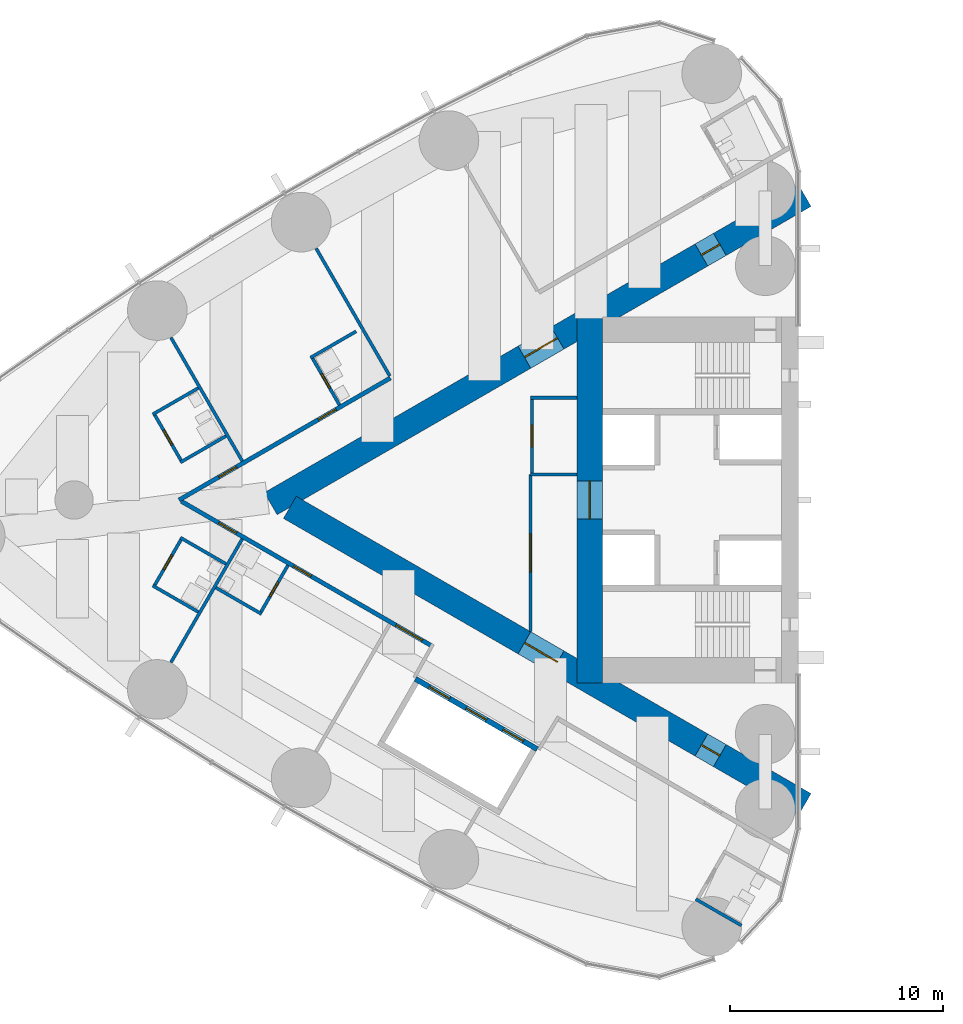
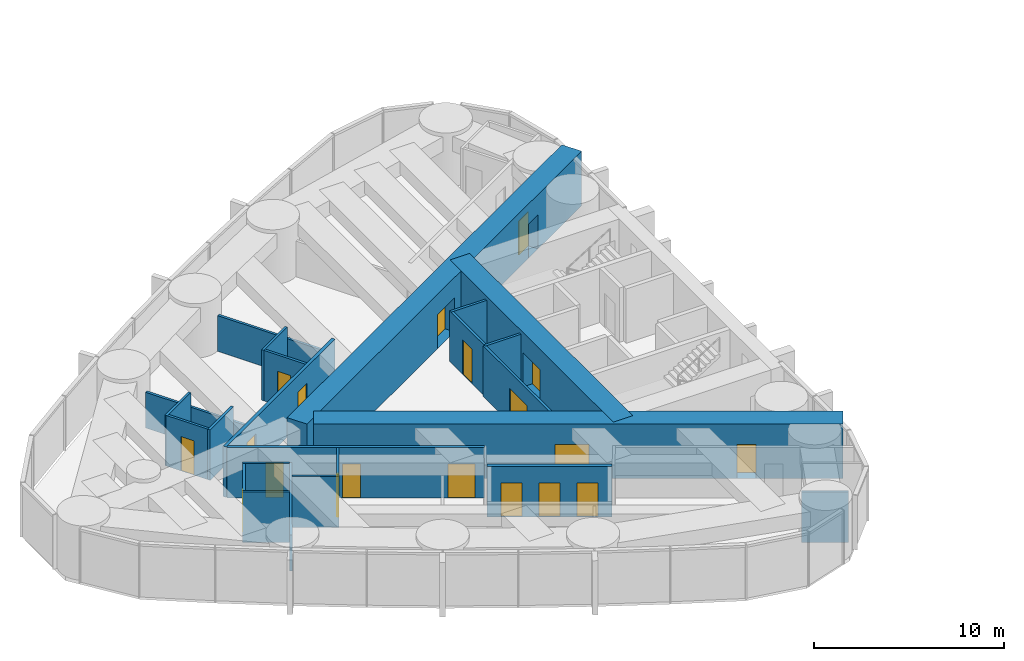
# One storey, part 12 of 18: 24 walls, 19 doors, 19 openings.
"""IFC4 building model written with IfcOpenShell, lengths in metres."""

from ifc_helpers import new_model, si_unit, direction, frame, frame_2d, origin, place, context, subcontext, project, spatial, rectangle, extrude, material, layer, layer_set, type_object, element, fill, save


model = new_model("IFC4")

# Units and contexts
model_context = context("Model", 3, precision=1e-05, world=origin(), true_north=direction((0.0, 1.0)))
body_context = subcontext(model_context, "Body", "Model", "MODEL_VIEW")
ifc_project = project(units=[si_unit("LENGTHUNIT", "METRE"), si_unit("AREAUNIT", "SQUARE_METRE"), si_unit("VOLUMEUNIT", "CUBIC_METRE"), si_unit("PLANEANGLEUNIT", "RADIAN"), si_unit("MASSUNIT", "GRAM", prefix="KILO")], contexts=[model_context])

# Site, building, storey
site_placement = place(None, origin())
site = spatial("IfcSite", under=ifc_project, at=site_placement, CompositionType="ELEMENT")
building_placement = place(site_placement, origin())
building = spatial("IfcBuilding", under=site, at=building_placement, Name="Lancet Gate Hotel", CompositionType="ELEMENT")
storey_placement = place(building_placement, frame((0.0, 0.0, 180.800048828125)))
storey = spatial("IfcBuildingStorey", under=building, at=storey_placement, Name="L48", CompositionType="ELEMENT", Elevation=180.800048828125)

# Wall
ifc_material_1 = material(Name="Moisture resistant board partition")
ifc_layer_1 = layer(ifc_material_1, 0.14990234375)
ifc_layer_set_1 = layer_set([ifc_layer_1], Name="Bathroom wall 150")
wall_type_1 = type_object("IfcWallType", Name="Bathroom wall 150", PredefinedType="PARTITIONING", material=ifc_layer_set_1)
wall_1_placement = place(storey_placement, frame((-48.26025390625, 7.914306640625, 0.0), z_axis=(0.0, 0.0, 1.0), x_axis=(-0.866031185235, -0.4999899861, 0.0)))
element("IfcWall", 1, at=wall_1_placement, inside=storey, type_object=wall_type_1, Name="T1 bathroom wall 150 L48", PredefinedType="PARTITIONING", context=body_context, shape_type="SweptSolid", body=[
    extrude(rectangle(XDim=2.47509765625, YDim=0.14990234375, at=frame_2d((1.237548828125, 0.0))), origin(), (0.0, 0.0, 1.0), 3.25),
])

# Wall, opening, door
wall_2_placement = place(storey_placement, frame((-49.038818359375, 4.462646484375, 0.0), z_axis=(0.0, 0.0, 1.0), x_axis=(-0.499936506574, 0.866062058628, 0.0)))
wall_2 = element("IfcWall", 2, at=wall_2_placement, inside=storey, type_object=wall_type_1, Name="T1 bathroom wall 150 L48", PredefinedType="PARTITIONING", context=body_context, shape_type="SweptSolid", body=[
    extrude(rectangle(XDim=2.599853515625, YDim=0.14990234375, at=frame_2d((1.2998046875, 0.0))), origin(), (0.0, 0.0, 1.0), 3.25),
])
opening_1_placement = place(wall_2_placement, frame((0.89990234375, 0.0, 0.0)))
opening_1 = element("IfcOpeningElement", 3, at=opening_1_placement, cuts=wall_2, Name="Opening 4803-B", PredefinedType="OPENING", context=body_context, shape_type="SweptSolid", body=[
    extrude(rectangle(XDim=0.800048828125, YDim=2.199951171875, at=frame_2d((0.39990234375, 1.10009765625))), frame((0.0, 0.0849609375, 0.0), z_axis=(0.0, -1.0, 0.0), x_axis=(1.0, 0.0, 0.0)), (0.0, 0.0, 1.0), 0.169921875),
])
ifc_material_2 = material(Name="Timber door set", Category="wood")
door_type_1 = type_object("IfcDoorType", Name="Bathroom door 800", OperationType="SINGLE_SWING_RIGHT", PredefinedType="DOOR", material=ifc_material_2)
door_1_placement = place(opening_1_placement, origin())
door_1 = element("IfcDoor", 4, at=door_1_placement, inside=storey, type_object=door_type_1, Name="4803-B", OperationType="SINGLE_SWING_RIGHT", OverallHeight=2.199951171875, OverallWidth=0.800048828125, PredefinedType="DOOR", context=body_context, shape_type="SweptSolid", body=[
    extrude(rectangle(XDim=0.800048828125, YDim=2.199951171875, at=frame_2d((0.39990234375, 1.10009765625))), frame((0.0, 0.02490234375, 0.0), z_axis=(0.0, -1.0, 0.0), x_axis=(1.0, 0.0, 0.0)), (0.0, 0.0, 1.0), 0.050048828125),
])
fill(opening_1, door_1)

# Wall
wall_3_placement = place(storey_placement, frame((-55.6669921875, 5.254638671875, 0.0), z_axis=(0.0, 0.0, 1.0), x_axis=(-0.866006523861, -0.500032699561, 0.0)))
element("IfcWall", 5, at=wall_3_placement, inside=storey, type_object=wall_type_1, Name="T1 bathroom wall 150 L48", PredefinedType="PARTITIONING", context=body_context, shape_type="SweptSolid", body=[
    extrude(rectangle(XDim=2.474853515625, YDim=0.14990234375, at=frame_2d((1.2373046875, 0.0))), origin(), (0.0, 0.0, 1.0), 3.25),
])

# Wall, opening, door
wall_4_placement = place(storey_placement, frame((-56.445556640625, 1.802978515625, 0.0), z_axis=(0.0, 0.0, 1.0), x_axis=(-0.499936506574, 0.866062058628, 0.0)))
wall_4 = element("IfcWall", 6, at=wall_4_placement, inside=storey, type_object=wall_type_1, Name="T1 bathroom wall 150 L48", PredefinedType="PARTITIONING", context=body_context, shape_type="SweptSolid", body=[
    extrude(rectangle(XDim=2.599853515625, YDim=0.14990234375, at=frame_2d((1.2998046875, 0.0))), origin(), (0.0, 0.0, 1.0), 3.25),
])
opening_2_placement = place(wall_4_placement, frame((0.89990234375, 0.0, 0.0)))
opening_2 = element("IfcOpeningElement", 7, at=opening_2_placement, cuts=wall_4, Name="Opening 4804-B", PredefinedType="OPENING", context=body_context, shape_type="SweptSolid", body=[
    extrude(rectangle(XDim=0.800048828125, YDim=2.199951171875, at=frame_2d((0.39990234375, 1.10009765625))), frame((0.0, 0.0849609375, 0.0), z_axis=(0.0, -1.0, 0.0), x_axis=(1.0, 0.0, 0.0)), (0.0, 0.0, 1.0), 0.169921875),
])
door_2_placement = place(opening_2_placement, origin())
door_2 = element("IfcDoor", 8, at=door_2_placement, inside=storey, type_object=door_type_1, Name="4804-B", OperationType="SINGLE_SWING_RIGHT", OverallHeight=2.199951171875, OverallWidth=0.800048828125, PredefinedType="DOOR", context=body_context, shape_type="SweptSolid", body=[
    extrude(rectangle(XDim=0.800048828125, YDim=2.199951171875, at=frame_2d((0.39990234375, 1.10009765625))), frame((0.0, 0.02490234375, 0.0), z_axis=(0.0, -1.0, 0.0), x_axis=(1.0, 0.0, 0.0)), (0.0, 0.0, 1.0), 0.050048828125),
])
fill(opening_2, door_2)

# Walls
wall_5_placement = place(storey_placement, frame((-54.366943359375, 3.0029296875, 0.0), z_axis=(0.0, 0.0, 1.0), x_axis=(-0.866031185235, -0.4999899861, 0.0)))
element("IfcWall", 9, at=wall_5_placement, inside=storey, type_object=wall_type_1, Name="T1 bathroom wall 150 L48", PredefinedType="PARTITIONING", context=body_context, shape_type="SweptSolid", body=[
    extrude(rectangle(XDim=2.47509765625, YDim=0.14990234375, at=frame_2d((1.237548828125, 0.0))), origin(), (0.0, 0.0, 1.0), 3.25),
])
wall_6_placement = place(storey_placement, frame((-55.6669921875, -5.254638671875, 0.0), z_axis=(0.0, 0.0, 1.0), x_axis=(-0.866006523861, 0.500032699561, 0.0)))
element("IfcWall", 10, at=wall_6_placement, inside=storey, type_object=wall_type_1, Name="T1 bathroom wall 150 L48", PredefinedType="PARTITIONING", context=body_context, shape_type="SweptSolid", body=[
    extrude(rectangle(XDim=2.474853515625, YDim=0.14990234375, at=frame_2d((1.2373046875, 0.0))), origin(), (0.0, 0.0, 1.0), 3.25),
])

# Wall, opening, door
wall_7_placement = place(storey_placement, frame((-56.445556640625, -1.802978515625, 0.0), z_axis=(0.0, 0.0, 1.0), x_axis=(-0.499936506574, -0.866062058628, 0.0)))
wall_7 = element("IfcWall", 11, at=wall_7_placement, inside=storey, type_object=wall_type_1, Name="T1 bathroom wall 150 L48", PredefinedType="PARTITIONING", context=body_context, shape_type="SweptSolid", body=[
    extrude(rectangle(XDim=2.599853515625, YDim=0.14990234375, at=frame_2d((1.2998046875, 0.0))), origin(), (0.0, 0.0, 1.0), 3.25),
])
opening_3_placement = place(wall_7_placement, frame((0.89990234375, 0.0, 0.0)))
opening_3 = element("IfcOpeningElement", 12, at=opening_3_placement, cuts=wall_7, Name="Opening 4805-B", PredefinedType="OPENING", context=body_context, shape_type="SweptSolid", body=[
    extrude(rectangle(XDim=0.800048828125, YDim=2.199951171875, at=frame_2d((0.39990234375, 1.10009765625))), frame((0.0, 0.0849609375, 0.0), z_axis=(0.0, -1.0, 0.0), x_axis=(1.0, 0.0, 0.0)), (0.0, 0.0, 1.0), 0.169921875),
])
door_3_placement = place(opening_3_placement, origin())
door_3 = element("IfcDoor", 13, at=door_3_placement, inside=storey, type_object=door_type_1, Name="4805-B", OperationType="SINGLE_SWING_RIGHT", OverallHeight=2.199951171875, OverallWidth=0.800048828125, PredefinedType="DOOR", context=body_context, shape_type="SweptSolid", body=[
    extrude(rectangle(XDim=0.800048828125, YDim=2.199951171875, at=frame_2d((0.39990234375, 1.10009765625))), frame((0.0, 0.02490234375, 0.0), z_axis=(0.0, -1.0, 0.0), x_axis=(1.0, 0.0, 0.0)), (0.0, 0.0, 1.0), 0.050048828125),
])
fill(opening_3, door_3)

# Walls
for number, where, z_axis, x_axis, name in (
    (14, (-54.366943359375, -3.0029296875, 0.0), (0.0, 0.0, 1.0), (-0.866031185235, 0.4999899861, 0.0), "T1 bathroom wall 150 L48"),
    (15, (-52.693603515625, -5.354736328125, 0.0), (0.0, 0.0, 1.0), (-0.866031185235, 0.4999899861, 0.0), "T1 bathroom wall 150 L48"),
):
    element("IfcWall", number, at=place(storey_placement, frame(where, z_axis=z_axis, x_axis=x_axis)), inside=storey, type_object=wall_type_1, Name=name, PredefinedType="PARTITIONING", context=body_context, shape_type="SweptSolid", body=[
        extrude(rectangle(XDim=2.47509765625, YDim=0.14990234375, at=frame_2d((1.237548828125, 0.0))), origin(), (0.0, 0.0, 1.0), 3.25),
    ])

# Wall, opening, door
wall_8_placement = place(storey_placement, frame((-51.458740234375, -3.0654296875, 0.0), z_axis=(0.0, 0.0, 1.0), x_axis=(-0.499936506574, -0.866062058628, 0.0)))
wall_8 = element("IfcWall", 16, at=wall_8_placement, inside=storey, type_object=wall_type_1, Name="T1 bathroom wall 150 L48", PredefinedType="PARTITIONING", context=body_context, shape_type="SweptSolid", body=[
    extrude(rectangle(XDim=2.599853515625, YDim=0.14990234375, at=frame_2d((1.2998046875, 0.0))), origin(), (0.0, 0.0, 1.0), 3.25),
])
opening_4_placement = place(wall_8_placement, frame((0.89990234375, 0.0, 0.0)))
opening_4 = element("IfcOpeningElement", 17, at=opening_4_placement, cuts=wall_8, Name="Opening 4806-B", PredefinedType="OPENING", context=body_context, shape_type="SweptSolid", body=[
    extrude(rectangle(XDim=0.800048828125, YDim=2.199951171875, at=frame_2d((0.39990234375, 1.10009765625))), frame((0.0, 0.0849609375, 0.0), z_axis=(0.0, -1.0, 0.0), x_axis=(1.0, 0.0, 0.0)), (0.0, 0.0, 1.0), 0.169921875),
])
door_4_placement = place(opening_4_placement, origin())
door_4 = element("IfcDoor", 18, at=door_4_placement, inside=storey, type_object=door_type_1, Name="4806-B", OperationType="SINGLE_SWING_RIGHT", OverallHeight=2.199951171875, OverallWidth=0.800048828125, PredefinedType="DOOR", context=body_context, shape_type="SweptSolid", body=[
    extrude(rectangle(XDim=0.800048828125, YDim=2.199951171875, at=frame_2d((0.39990234375, 1.10009765625))), frame((0.0, 0.02490234375, 0.0), z_axis=(0.0, -1.0, 0.0), x_axis=(1.0, 0.0, 0.0)), (0.0, 0.0, 1.0), 0.050048828125),
])
fill(opening_4, door_4)

# Wall
wall_9_placement = place(storey_placement, frame((-30.169921875, -19.975341796875, 0.0), z_axis=(0.0, 0.0, 1.0), x_axis=(-0.866006523861, 0.500032699561, 0.0)))
element("IfcWall", 19, at=wall_9_placement, inside=storey, type_object=wall_type_1, Name="T1 bathroom wall 150 L48", PredefinedType="PARTITIONING", context=body_context, shape_type="SweptSolid", body=[
    extrude(rectangle(XDim=2.474853515625, YDim=0.14990234375, at=frame_2d((1.2373046875, 0.0))), origin(), (0.0, 0.0, 1.0), 3.25),
])

# Wall, openings, doors
ifc_material_3 = material(Name="Concrete C70/85", Category="concrete")
ifc_layer_2 = layer(ifc_material_3, 1.199951171875)
ifc_layer_set_2 = layer_set([ifc_layer_2], Name="Buttress wall 1200")
wall_type_2 = type_object("IfcWallType", Name="Buttress wall 1200", PredefinedType="SHEAR", material=ifc_layer_set_2)
wall_10_placement = place(storey_placement, frame((-27.199951171875, 14.300048828125, 0.0), z_axis=(0.0, 0.0, 1.0), x_axis=(-0.866026593062, -0.499997940104, 0.0)))
wall_10 = element("IfcWall", 20, at=wall_10_placement, inside=storey, type_object=wall_type_2, Name="T1 buttress wall S L48", PredefinedType="SHEAR", context=body_context, shape_type="SweptSolid", body=[
    extrude(rectangle(XDim=28.9462890625, YDim=1.199951171875, at=frame_2d((14.47314453125, 0.0))), origin(), (0.0, 0.0, 1.0), 3.5),
])
opening_5_placement = place(wall_10_placement, frame((4.60009765625, 0.0, 0.0)))
opening_5 = element("IfcOpeningElement", 21, at=opening_5_placement, cuts=wall_10, Name="Opening T1-L48-LS", PredefinedType="OPENING", context=body_context, shape_type="SweptSolid", body=[
    extrude(rectangle(XDim=1.0, YDim=2.199951171875, at=frame_2d((0.5, 1.10009765625))), frame((0.0, 0.60986328125, 0.0), z_axis=(0.0, -1.0, 0.0), x_axis=(1.0, 0.0, 0.0)), (0.0, 0.0, 1.0), 1.219970703125),
])
opening_6_placement = place(wall_10_placement, frame((13.39453125, 0.0, 0.0)))
opening_6 = element("IfcOpeningElement", 22, at=opening_6_placement, cuts=wall_10, Name="Opening T1-L48-LHS", PredefinedType="OPENING", context=body_context, shape_type="SweptSolid", body=[
    extrude(rectangle(XDim=1.800048828125, YDim=2.199951171875, at=frame_2d((0.89990234375, 1.10009765625))), frame((0.0, 0.60986328125, 0.0), z_axis=(0.0, -1.0, 0.0), x_axis=(1.0, 0.0, 0.0)), (0.0, 0.0, 1.0), 1.219970703125),
])
ifc_material_4 = material(Name="Timber door set", Category="wood")
door_type_2 = type_object("IfcDoorType", Name="Lobby double door 1800", OperationType="DOUBLE_DOOR_SINGLE_SWING", PredefinedType="DOOR", material=ifc_material_4)
door_5_placement = place(opening_6_placement, origin())
door_5 = element("IfcDoor", 23, at=door_5_placement, inside=storey, type_object=door_type_2, Name="T1-L48-LHS", OperationType="DOUBLE_DOOR_SINGLE_SWING", OverallHeight=2.199951171875, OverallWidth=1.800048828125, PredefinedType="DOOR", context=body_context, shape_type="SweptSolid", body=[
    extrude(rectangle(XDim=1.800048828125, YDim=2.199951171875, at=frame_2d((0.89990234375, 1.10009765625))), frame((0.0, 0.02490234375, 0.0), z_axis=(0.0, -1.0, 0.0), x_axis=(1.0, 0.0, 0.0)), (0.0, 0.0, 1.0), 0.050048828125),
])
fill(opening_6, door_5)
ifc_material_5 = material(Name="Timber door set", Category="wood")
door_type_3 = type_object("IfcDoorType", Name="Stair lobby door 1000", OperationType="SINGLE_SWING_LEFT", PredefinedType="DOOR", material=ifc_material_5)
door_6_placement = place(opening_5_placement, origin())
door_6 = element("IfcDoor", 24, at=door_6_placement, inside=storey, type_object=door_type_3, Name="T1-L48-LS", OperationType="SINGLE_SWING_LEFT", OverallHeight=2.199951171875, OverallWidth=1.0, PredefinedType="DOOR", context=body_context, shape_type="SweptSolid", body=[
    extrude(rectangle(XDim=1.0, YDim=2.199951171875, at=frame_2d((0.5, 1.10009765625))), frame((0.0, 0.02490234375, 0.0), z_axis=(0.0, -1.0, 0.0), x_axis=(1.0, 0.0, 0.0)), (0.0, 0.0, 1.0), 0.050048828125),
])
fill(opening_5, door_6)

wall_11_placement = place(storey_placement, frame((-27.199951171875, -14.300048828125, 0.0), z_axis=(0.0, 0.0, 1.0), x_axis=(-0.866024021859, 0.500002393557, 0.0)))
wall_11 = element("IfcWall", 25, at=wall_11_placement, inside=storey, type_object=wall_type_2, Name="T1 buttress wall N L48", PredefinedType="SHEAR", context=body_context, shape_type="SweptSolid", body=[
    extrude(rectangle(XDim=27.906982421875, YDim=1.199951171875, at=frame_2d((13.95361328125, 0.0))), origin(), (0.0, 0.0, 1.0), 3.5),
])
opening_7_placement = place(wall_11_placement, frame((4.60009765625, 0.0, 0.0)))
opening_7 = element("IfcOpeningElement", 26, at=opening_7_placement, cuts=wall_11, Name="Opening T1-L48-LN", PredefinedType="OPENING", context=body_context, shape_type="SweptSolid", body=[
    extrude(rectangle(XDim=1.0, YDim=2.199951171875, at=frame_2d((0.5, 1.10009765625))), frame((0.0, 0.60986328125, 0.0), z_axis=(0.0, -1.0, 0.0), x_axis=(1.0, 0.0, 0.0)), (0.0, 0.0, 1.0), 1.219970703125),
])
opening_8_placement = place(wall_11_placement, frame((13.39453125, 0.0, 0.0)))
opening_8 = element("IfcOpeningElement", 27, at=opening_8_placement, cuts=wall_11, Name="Opening T1-L48-LHN", PredefinedType="OPENING", context=body_context, shape_type="SweptSolid", body=[
    extrude(rectangle(XDim=1.800048828125, YDim=2.199951171875, at=frame_2d((0.89990234375, 1.10009765625))), frame((0.0, 0.60986328125, 0.0), z_axis=(0.0, -1.0, 0.0), x_axis=(1.0, 0.0, 0.0)), (0.0, 0.0, 1.0), 1.219970703125),
])
door_7_placement = place(opening_8_placement, origin())
door_7 = element("IfcDoor", 28, at=door_7_placement, inside=storey, type_object=door_type_2, Name="T1-L48-LHN", OperationType="DOUBLE_DOOR_SINGLE_SWING", OverallHeight=2.199951171875, OverallWidth=1.800048828125, PredefinedType="DOOR", context=body_context, shape_type="SweptSolid", body=[
    extrude(rectangle(XDim=1.800048828125, YDim=2.199951171875, at=frame_2d((0.89990234375, 1.10009765625))), frame((0.0, 0.02490234375, 0.0), z_axis=(0.0, -1.0, 0.0), x_axis=(1.0, 0.0, 0.0)), (0.0, 0.0, 1.0), 0.050048828125),
])
fill(opening_8, door_7)
door_8_placement = place(opening_7_placement, origin())
door_8 = element("IfcDoor", 29, at=door_8_placement, inside=storey, type_object=door_type_3, Name="T1-L48-LN", OperationType="SINGLE_SWING_LEFT", OverallHeight=2.199951171875, OverallWidth=1.0, PredefinedType="DOOR", context=body_context, shape_type="SweptSolid", body=[
    extrude(rectangle(XDim=1.0, YDim=2.199951171875, at=frame_2d((0.5, 1.10009765625))), frame((0.0, 0.02490234375, 0.0), z_axis=(0.0, -1.0, 0.0), x_axis=(1.0, 0.0, 0.0)), (0.0, 0.0, 1.0), 0.050048828125),
])
fill(opening_7, door_8)

# Wall, opening, door
ifc_material_6 = material(Name="Concrete C70/85", Category="concrete")
ifc_layer_3 = layer(ifc_material_6, 1.199951171875)
ifc_layer_set_3 = layer_set([ifc_layer_3], Name="Core wall 1200")
wall_type_3 = type_object("IfcWallType", Name="Core wall 1200", PredefinedType="SHEAR", material=ifc_layer_set_3)
wall_12_placement = place(storey_placement, frame((-37.300048828125, 8.60009765625, 0.0), z_axis=(0.0, 0.0, 1.0), x_axis=(0.0, -1.0, 0.0)))
wall_12 = element("IfcWall", 30, at=wall_12_placement, inside=storey, type_object=wall_type_3, Name="T1 core wall back L48", PredefinedType="SHEAR", context=body_context, shape_type="SweptSolid", body=[
    extrude(rectangle(XDim=17.2001953125, YDim=1.199951171875, at=frame_2d((8.60009765625, 0.0))), origin(), (0.0, 0.0, 1.0), 3.5),
])
opening_9_placement = place(wall_12_placement, frame((7.699951171875, 0.0, 0.0)))
opening_9 = element("IfcOpeningElement", 31, at=opening_9_placement, cuts=wall_12, Name="Opening T1-L48-LL", PredefinedType="OPENING", context=body_context, shape_type="SweptSolid", body=[
    extrude(rectangle(XDim=1.800048828125, YDim=2.199951171875, at=frame_2d((0.89990234375, 1.10009765625))), frame((0.0, 0.60986328125, 0.0), z_axis=(0.0, -1.0, 0.0), x_axis=(1.0, 0.0, 0.0)), (0.0, 0.0, 1.0), 1.219970703125),
])
door_9_placement = place(opening_9_placement, origin())
door_9 = element("IfcDoor", 32, at=door_9_placement, inside=storey, type_object=door_type_2, Name="T1-L48-LL", OperationType="DOUBLE_DOOR_SINGLE_SWING", OverallHeight=2.199951171875, OverallWidth=1.800048828125, PredefinedType="DOOR", context=body_context, shape_type="SweptSolid", body=[
    extrude(rectangle(XDim=1.800048828125, YDim=2.199951171875, at=frame_2d((0.89990234375, 1.10009765625))), frame((0.0, 0.02490234375, 0.0), z_axis=(0.0, -1.0, 0.0), x_axis=(1.0, 0.0, 0.0)), (0.0, 0.0, 1.0), 0.050048828125),
])
fill(opening_9, door_9)

# Wall, openings, doors
ifc_material_7 = material(Name="Gypsum board partition")
ifc_layer_4 = layer(ifc_material_7, 0.199951171875)
ifc_layer_set_4 = layer_set([ifc_layer_4], Name="Corridor wall 200")
wall_type_4 = type_object("IfcWallType", Name="Corridor wall 200", PredefinedType="PARTITIONING", material=ifc_layer_set_4)
wall_13_placement = place(storey_placement, frame((-44.715087890625, -6.843505859375, 0.0), z_axis=(0.0, 0.0, 1.0), x_axis=(-0.866025261224, 0.500000246922, 0.0)))
wall_13 = element("IfcWall", 33, at=wall_13_placement, inside=storey, type_object=wall_type_4, Name="T1 corridor wall 200 L48", PredefinedType="PARTITIONING", context=body_context, shape_type="SweptSolid", body=[
    extrude(rectangle(XDim=13.56689453125, YDim=0.199951171875, at=frame_2d((6.783447265625, 0.0))), origin(), (0.0, 0.0, 1.0), 3.25),
])
opening_10_placement = place(wall_13_placement, frame((10.5791015625, 0.0, 0.0)))
opening_10 = element("IfcOpeningElement", 34, at=opening_10_placement, cuts=wall_13, Name="Opening 4805-E", PredefinedType="OPENING", context=body_context, shape_type="SweptSolid", body=[
    extrude(rectangle(XDim=0.949951171875, YDim=2.199951171875, at=frame_2d((0.47509765625, 1.10009765625))), frame((0.0, 0.10986328125, 0.0), z_axis=(0.0, -1.0, 0.0), x_axis=(1.0, 0.0, 0.0)), (0.0, 0.0, 1.0), 0.219970703125),
])
opening_11_placement = place(wall_13_placement, frame((6.529052734375, 0.0, 0.0)))
opening_11 = element("IfcOpeningElement", 35, at=opening_11_placement, cuts=wall_13, Name="Opening 4806-E", PredefinedType="OPENING", context=body_context, shape_type="SweptSolid", body=[
    extrude(rectangle(XDim=0.949951171875, YDim=2.199951171875, at=frame_2d((0.47509765625, 1.10009765625))), frame((0.0, 0.10986328125, 0.0), z_axis=(0.0, -1.0, 0.0), x_axis=(1.0, 0.0, 0.0)), (0.0, 0.0, 1.0), 0.219970703125),
])
opening_12_placement = place(wall_13_placement, frame((0.5, 0.0, 0.0)))
opening_12 = element("IfcOpeningElement", 36, at=opening_12_placement, cuts=wall_13, Name="Opening T1-L48-LO1", PredefinedType="OPENING", context=body_context, shape_type="SweptSolid", body=[
    extrude(rectangle(XDim=1.43505859375, YDim=2.199951171875, at=frame_2d((0.717529296875, 1.10009765625))), frame((0.0, 0.10986328125, 0.0), z_axis=(0.0, -1.0, 0.0), x_axis=(1.0, 0.0, 0.0)), (0.0, 0.0, 1.0), 0.219970703125),
])
ifc_material_8 = material(Name="Timber door set", Category="wood")
door_type_4 = type_object("IfcDoorType", Name="Guest room entry door 950", OperationType="SINGLE_SWING_LEFT", PredefinedType="DOOR", material=ifc_material_8)
door_10_placement = place(opening_10_placement, origin())
door_10 = element("IfcDoor", 37, at=door_10_placement, inside=storey, type_object=door_type_4, Name="4805-E", OperationType="SINGLE_SWING_LEFT", OverallHeight=2.199951171875, OverallWidth=0.949951171875, PredefinedType="DOOR", context=body_context, shape_type="SweptSolid", body=[
    extrude(rectangle(XDim=0.949951171875, YDim=2.199951171875, at=frame_2d((0.47509765625, 1.10009765625))), frame((0.0, 0.02490234375, 0.0), z_axis=(0.0, -1.0, 0.0), x_axis=(1.0, 0.0, 0.0)), (0.0, 0.0, 1.0), 0.050048828125),
])
fill(opening_10, door_10)
door_11_placement = place(opening_11_placement, origin())
door_11 = element("IfcDoor", 38, at=door_11_placement, inside=storey, type_object=door_type_4, Name="4806-E", OperationType="SINGLE_SWING_LEFT", OverallHeight=2.199951171875, OverallWidth=0.949951171875, PredefinedType="DOOR", context=body_context, shape_type="SweptSolid", body=[
    extrude(rectangle(XDim=0.949951171875, YDim=2.199951171875, at=frame_2d((0.47509765625, 1.10009765625))), frame((0.0, 0.02490234375, 0.0), z_axis=(0.0, -1.0, 0.0), x_axis=(1.0, 0.0, 0.0)), (0.0, 0.0, 1.0), 0.050048828125),
])
fill(opening_11, door_11)
door_12_placement = place(opening_12_placement, origin())
door_12 = element("IfcDoor", 39, at=door_12_placement, inside=storey, type_object=door_type_4, Name="T1-L48-LO1", OperationType="SINGLE_SWING_LEFT", OverallHeight=2.199951171875, OverallWidth=1.43505859375, PredefinedType="DOOR", context=body_context, shape_type="SweptSolid", body=[
    extrude(rectangle(XDim=1.43505859375, YDim=2.199951171875, at=frame_2d((0.717529296875, 1.10009765625))), frame((0.0, 0.02490234375, 0.0), z_axis=(0.0, -1.0, 0.0), x_axis=(1.0, 0.0, 0.0)), (0.0, 0.0, 1.0), 0.050048828125),
])
fill(opening_12, door_12)

wall_14_placement = place(storey_placement, frame((-46.650390625, 5.72607421875, 0.0), z_axis=(0.0, 0.0, 1.0), x_axis=(-0.866027963864, -0.499995565786, 0.0)))
wall_14 = element("IfcWall", 40, at=wall_14_placement, inside=storey, type_object=wall_type_4, Name="T1 corridor wall 200 L48", PredefinedType="PARTITIONING", context=body_context, shape_type="SweptSolid", body=[
    extrude(rectangle(XDim=11.4521484375, YDim=0.199951171875, at=frame_2d((5.72607421875, 0.0))), origin(), (0.0, 0.0, 1.0), 3.25),
])
opening_13_placement = place(wall_14_placement, frame((2.949951171875, 0.0, 0.0)))
opening_13 = element("IfcOpeningElement", 41, at=opening_13_placement, cuts=wall_14, Name="Opening 4803-E", PredefinedType="OPENING", context=body_context, shape_type="SweptSolid", body=[
    extrude(rectangle(XDim=0.949951171875, YDim=2.199951171875, at=frame_2d((0.47509765625, 1.10009765625))), frame((0.0, 0.10986328125, 0.0), z_axis=(0.0, -1.0, 0.0), x_axis=(1.0, 0.0, 0.0)), (0.0, 0.0, 1.0), 0.219970703125),
])
opening_14_placement = place(wall_14_placement, frame((8.34423828125, 0.0, 0.0)))
opening_14 = element("IfcOpeningElement", 42, at=opening_14_placement, cuts=wall_14, Name="Opening 4804-E", PredefinedType="OPENING", context=body_context, shape_type="SweptSolid", body=[
    extrude(rectangle(XDim=0.949951171875, YDim=2.199951171875, at=frame_2d((0.47509765625, 1.10009765625))), frame((0.0, 0.10986328125, 0.0), z_axis=(0.0, -1.0, 0.0), x_axis=(1.0, 0.0, 0.0)), (0.0, 0.0, 1.0), 0.219970703125),
])
door_13_placement = place(opening_13_placement, origin())
door_13 = element("IfcDoor", 43, at=door_13_placement, inside=storey, type_object=door_type_4, Name="4803-E", OperationType="SINGLE_SWING_LEFT", OverallHeight=2.199951171875, OverallWidth=0.949951171875, PredefinedType="DOOR", context=body_context, shape_type="SweptSolid", body=[
    extrude(rectangle(XDim=0.949951171875, YDim=2.199951171875, at=frame_2d((0.47509765625, 1.10009765625))), frame((0.0, 0.02490234375, 0.0), z_axis=(0.0, -1.0, 0.0), x_axis=(1.0, 0.0, 0.0)), (0.0, 0.0, 1.0), 0.050048828125),
])
fill(opening_13, door_13)
door_14_placement = place(opening_14_placement, origin())
door_14 = element("IfcDoor", 44, at=door_14_placement, inside=storey, type_object=door_type_4, Name="4804-E", OperationType="SINGLE_SWING_LEFT", OverallHeight=2.199951171875, OverallWidth=0.949951171875, PredefinedType="DOOR", context=body_context, shape_type="SweptSolid", body=[
    extrude(rectangle(XDim=0.949951171875, YDim=2.199951171875, at=frame_2d((0.47509765625, 1.10009765625))), frame((0.0, 0.02490234375, 0.0), z_axis=(0.0, -1.0, 0.0), x_axis=(1.0, 0.0, 0.0)), (0.0, 0.0, 1.0), 0.050048828125),
])
fill(opening_14, door_14)

ifc_material_9 = material(Name="Gypsum board partition")
ifc_layer_5 = layer(ifc_material_9, 0.25)
ifc_layer_set_5 = layer_set([ifc_layer_5], Name="Lift shaft partition 250")
wall_type_5 = type_object("IfcWallType", Name="Lift shaft partition 250", PredefinedType="PARTITIONING", material=ifc_layer_set_5)
wall_15_placement = place(storey_placement, frame((-39.757568359375, -11.697265625, 0.0), z_axis=(0.0, 0.0, 1.0), x_axis=(-0.866024194504, 0.500002094529, 0.0)))
wall_15 = element("IfcWall", 45, at=wall_15_placement, inside=storey, type_object=wall_type_5, Name="T1 lift shaft wall HL L48", PredefinedType="PARTITIONING", context=body_context, shape_type="SweptSolid", body=[
    extrude(rectangle(XDim=6.60009765625, YDim=0.25, at=frame_2d((3.300048828125, 0.0))), origin(), (0.0, 0.0, 1.0), 3.25),
])
opening_15_placement = place(wall_15_placement, frame((0.75, 0.0, 0.0)))
opening_15 = element("IfcOpeningElement", 46, at=opening_15_placement, cuts=wall_15, Name="Opening T1-HL1-L48", PredefinedType="OPENING", context=body_context, shape_type="SweptSolid", body=[
    extrude(rectangle(XDim=1.10009765625, YDim=2.199951171875, at=frame_2d((0.550048828125, 1.10009765625))), frame((0.0, 0.135009765625, 0.0), z_axis=(0.0, -1.0, 0.0), x_axis=(1.0, 0.0, 0.0)), (0.0, 0.0, 1.0), 0.27001953125),
])
opening_16_placement = place(wall_15_placement, frame((2.75, 0.0, 0.0)))
opening_16 = element("IfcOpeningElement", 47, at=opening_16_placement, cuts=wall_15, Name="Opening T1-HL2-L48", PredefinedType="OPENING", context=body_context, shape_type="SweptSolid", body=[
    extrude(rectangle(XDim=1.10009765625, YDim=2.199951171875, at=frame_2d((0.550048828125, 1.10009765625))), frame((0.0, 0.135009765625, 0.0), z_axis=(0.0, -1.0, 0.0), x_axis=(1.0, 0.0, 0.0)), (0.0, 0.0, 1.0), 0.27001953125),
])
opening_17_placement = place(wall_15_placement, frame((4.75, 0.0, 0.0)))
opening_17 = element("IfcOpeningElement", 48, at=opening_17_placement, cuts=wall_15, Name="Opening T1-HL3-L48", PredefinedType="OPENING", context=body_context, shape_type="SweptSolid", body=[
    extrude(rectangle(XDim=1.10009765625, YDim=2.199951171875, at=frame_2d((0.550048828125, 1.10009765625))), frame((0.0, 0.135009765625, 0.0), z_axis=(0.0, -1.0, 0.0), x_axis=(1.0, 0.0, 0.0)), (0.0, 0.0, 1.0), 0.27001953125),
])
ifc_material_10 = material(Name="Steel door set", Category="steel")
door_type_5 = type_object("IfcDoorType", Name="Lift landing door 1100", OperationType="DOUBLE_DOOR_SLIDING", PredefinedType="USERDEFINED", material=ifc_material_10)
door_15_placement = place(opening_15_placement, origin())
door_15 = element("IfcDoor", 49, at=door_15_placement, inside=storey, type_object=door_type_5, Name="T1-HL1-L48", ObjectType="LIFT LANDING DOOR", OperationType="DOUBLE_DOOR_SLIDING", OverallHeight=2.199951171875, OverallWidth=1.10009765625, PredefinedType="USERDEFINED", context=body_context, shape_type="SweptSolid", body=[
    extrude(rectangle(XDim=1.10009765625, YDim=2.199951171875, at=frame_2d((0.550048828125, 1.10009765625))), frame((0.0, 0.02490234375, 0.0), z_axis=(0.0, -1.0, 0.0), x_axis=(1.0, 0.0, 0.0)), (0.0, 0.0, 1.0), 0.050048828125),
])
fill(opening_15, door_15)
door_16_placement = place(opening_16_placement, origin())
door_16 = element("IfcDoor", 50, at=door_16_placement, inside=storey, type_object=door_type_5, Name="T1-HL2-L48", ObjectType="LIFT LANDING DOOR", OperationType="DOUBLE_DOOR_SLIDING", OverallHeight=2.199951171875, OverallWidth=1.10009765625, PredefinedType="USERDEFINED", context=body_context, shape_type="SweptSolid", body=[
    extrude(rectangle(XDim=1.10009765625, YDim=2.199951171875, at=frame_2d((0.550048828125, 1.10009765625))), frame((0.0, 0.02490234375, 0.0), z_axis=(0.0, -1.0, 0.0), x_axis=(1.0, 0.0, 0.0)), (0.0, 0.0, 1.0), 0.050048828125),
])
fill(opening_16, door_16)
door_17_placement = place(opening_17_placement, origin())
door_17 = element("IfcDoor", 51, at=door_17_placement, inside=storey, type_object=door_type_5, Name="T1-HL3-L48", ObjectType="LIFT LANDING DOOR", OperationType="DOUBLE_DOOR_SLIDING", OverallHeight=2.199951171875, OverallWidth=1.10009765625, PredefinedType="USERDEFINED", context=body_context, shape_type="SweptSolid", body=[
    extrude(rectangle(XDim=1.10009765625, YDim=2.199951171875, at=frame_2d((0.550048828125, 1.10009765625))), frame((0.0, 0.02490234375, 0.0), z_axis=(0.0, -1.0, 0.0), x_axis=(1.0, 0.0, 0.0)), (0.0, 0.0, 1.0), 0.050048828125),
])
fill(opening_17, door_17)

# Walls
ifc_material_11 = material(Name="Gypsum board partition")
ifc_layer_6 = layer(ifc_material_11, 0.14990234375)
ifc_layer_set_6 = layer_set([ifc_layer_6], Name="Party wall 150")
wall_type_6 = type_object("IfcWallType", Name="Party wall 150", PredefinedType="PARTITIONING", material=ifc_layer_set_6)
wall_16_placement = place(storey_placement, frame((-46.6787109375, 5.8251953125, 0.0), z_axis=(0.0, 0.0, 1.0), x_axis=(-0.500006839597, 0.866021454905, 0.0)))
element("IfcWall", 52, at=wall_16_placement, inside=storey, type_object=wall_type_6, Name="T1 party wall 150 L48", PredefinedType="PARTITIONING", context=body_context, shape_type="SweptSolid", body=[
    extrude(rectangle(XDim=6.9111328125, YDim=0.14990234375, at=frame_2d((3.45556640625, 0.0))), origin(), (0.0, 0.0, 1.0), 2.300048828125),
])
for number, where, z_axis, x_axis, name in (
    (53, (-53.60205078125, 1.828125, 0.0), (0.0, 0.0, 1.0), (-0.49999191814, 0.866030069798, 0.0), "T1 party wall 150 L48"),
    (54, (-53.60205078125, -1.828125, 0.0), (0.0, 0.0, 1.0), (-0.49999191814, -0.866030069798, 0.0), "T1 party wall 150 L48"),
):
    element("IfcWall", number, at=place(storey_placement, frame(where, z_axis=z_axis, x_axis=x_axis)), inside=storey, type_object=wall_type_6, Name=name, PredefinedType="PARTITIONING", context=body_context, shape_type="SweptSolid", body=[
        extrude(rectangle(XDim=6.6923828125, YDim=0.14990234375, at=frame_2d((3.34619140625, 0.0))), origin(), (0.0, 0.0, 1.0), 2.300048828125),
    ])
ifc_material_12 = material(Name="Gypsum board partition")
ifc_layer_7 = layer(ifc_material_12, 0.14990234375)
ifc_layer_set_7 = layer_set([ifc_layer_7], Name="Service room wall 150")
wall_type_7 = type_object("IfcWallType", Name="Service room wall 150", PredefinedType="PARTITIONING", material=ifc_layer_set_7)
for number, where, z_axis, x_axis, name in (
    (55, (-37.89990234375, 1.199951171875, 0.0), (0.0, 0.0, 1.0), (-1.0, 0.0, 0.0), "T1 service room wall 150 L48"),
    (56, (-37.89990234375, 4.800048828125, 0.0), (0.0, 0.0, 1.0), (-1.0, 0.0, 0.0), "T1 service room wall 150 L48"),
):
    element("IfcWall", number, at=place(storey_placement, frame(where, z_axis=z_axis, x_axis=x_axis)), inside=storey, type_object=wall_type_7, Name=name, PredefinedType="PARTITIONING", context=body_context, shape_type="SweptSolid", body=[
        extrude(rectangle(XDim=2.175048828125, YDim=0.14990234375, at=frame_2d((1.08740234375, 0.0))), origin(), (0.0, 0.0, 1.0), 3.25),
    ])

# Wall, opening, door
wall_17_placement = place(storey_placement, frame((-40.0, 4.875, 0.0), z_axis=(0.0, 0.0, 1.0), x_axis=(0.0, -1.0, 0.0)))
wall_17 = element("IfcWall", 57, at=wall_17_placement, inside=storey, type_object=wall_type_7, Name="T1 service room wall 150 L48", PredefinedType="PARTITIONING", context=body_context, shape_type="SweptSolid", body=[
    extrude(rectangle(XDim=3.75, YDim=0.14990234375, at=frame_2d((1.875, 0.0))), origin(), (0.0, 0.0, 1.0), 3.25),
])
opening_18_placement = place(wall_17_placement, frame((1.375, 0.0, 0.0)))
opening_18 = element("IfcOpeningElement", 58, at=opening_18_placement, cuts=wall_17, Name="Opening T1-L48-HRS0", PredefinedType="OPENING", context=body_context, shape_type="SweptSolid", body=[
    extrude(rectangle(XDim=1.0, YDim=2.199951171875, at=frame_2d((0.5, 1.10009765625))), frame((0.0, 0.0849609375, 0.0), z_axis=(0.0, -1.0, 0.0), x_axis=(1.0, 0.0, 0.0)), (0.0, 0.0, 1.0), 0.169921875),
])
ifc_material_13 = material(Name="Timber door set", Category="wood")
door_type_6 = type_object("IfcDoorType", Name="Service door 1000", OperationType="SINGLE_SWING_LEFT", PredefinedType="DOOR", material=ifc_material_13)
door_18_placement = place(opening_18_placement, origin())
door_18 = element("IfcDoor", 59, at=door_18_placement, inside=storey, type_object=door_type_6, Name="T1-L48-HRS0", OperationType="SINGLE_SWING_LEFT", OverallHeight=2.199951171875, OverallWidth=1.0, PredefinedType="DOOR", context=body_context, shape_type="SweptSolid", body=[
    extrude(rectangle(XDim=1.0, YDim=2.199951171875, at=frame_2d((0.5, 1.10009765625))), frame((0.0, 0.02490234375, 0.0), z_axis=(0.0, -1.0, 0.0), x_axis=(1.0, 0.0, 0.0)), (0.0, 0.0, 1.0), 0.050048828125),
])
fill(opening_18, door_18)

wall_18_placement = place(storey_placement, frame((-40.074951171875, 1.199951171875, 0.0), z_axis=(0.0, 0.0, 1.0), x_axis=(0.0, -1.0, 0.0)))
wall_18 = element("IfcWall", 60, at=wall_18_placement, inside=storey, type_object=wall_type_7, Name="T1 service room wall 150 L48", PredefinedType="PARTITIONING", context=body_context, shape_type="SweptSolid", body=[
    extrude(rectangle(XDim=7.373779296875, YDim=0.14990234375, at=frame_2d((3.68701171875, 0.0))), origin(), (0.0, 0.0, 1.0), 3.25),
])
opening_19_placement = place(wall_18_placement, frame((2.786865234375, 0.0, 0.0)))
opening_19 = element("IfcOpeningElement", 61, at=opening_19_placement, cuts=wall_18, Name="Opening T1-L48-LH", PredefinedType="OPENING", context=body_context, shape_type="SweptSolid", body=[
    extrude(rectangle(XDim=1.800048828125, YDim=2.199951171875, at=frame_2d((0.89990234375, 1.10009765625))), frame((0.0, 0.0849609375, 0.0), z_axis=(0.0, -1.0, 0.0), x_axis=(1.0, 0.0, 0.0)), (0.0, 0.0, 1.0), 0.169921875),
])
door_19_placement = place(opening_19_placement, origin())
door_19 = element("IfcDoor", 62, at=door_19_placement, inside=storey, type_object=door_type_2, Name="T1-L48-LH", OperationType="DOUBLE_DOOR_SINGLE_SWING", OverallHeight=2.199951171875, OverallWidth=1.800048828125, PredefinedType="DOOR", context=body_context, shape_type="SweptSolid", body=[
    extrude(rectangle(XDim=1.800048828125, YDim=2.199951171875, at=frame_2d((0.89990234375, 1.10009765625))), frame((0.0, 0.02490234375, 0.0), z_axis=(0.0, -1.0, 0.0), x_axis=(1.0, 0.0, 0.0)), (0.0, 0.0, 1.0), 0.050048828125),
])
fill(opening_19, door_19)

save(model, "model.ifc")
